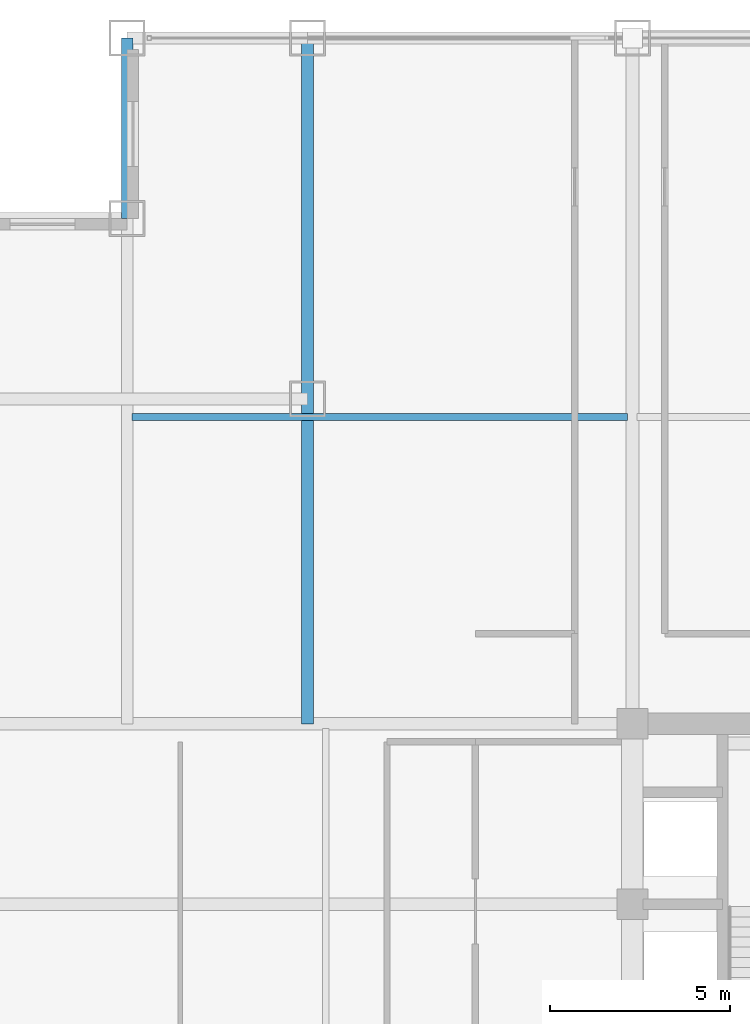
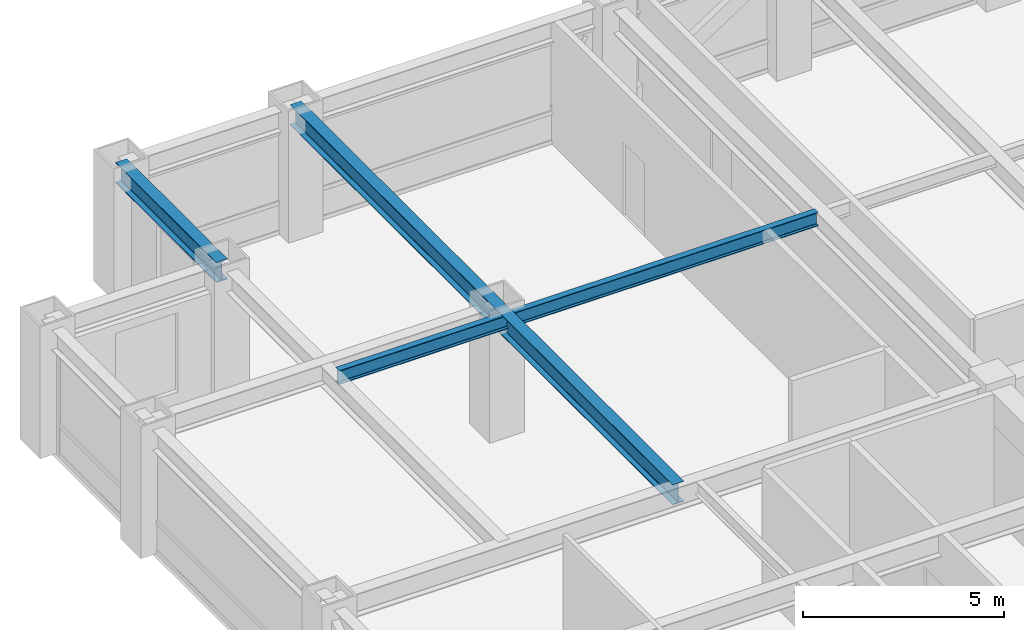
# One storey, part 13 of 24: 3 beams.
"""IFC4 building model written with IfcOpenShell, lengths in metres."""

from ifc_helpers import new_model, si_unit, direction, frame, origin, origin_2d, place, context, subcontext, project, spatial, i_section, extrude, source, transform, mapped, material, material_profile, profile_set, type_object, element, save


model = new_model("IFC4")

# Units and contexts
model_context = context("Model", 3, precision=1e-05, world=origin(), true_north=direction((0.0, 1.0)))
body_context = subcontext(model_context, "Body", "Model", "MODEL_VIEW")
ifc_project = project(units=[si_unit("LENGTHUNIT", "METRE"), si_unit("AREAUNIT", "SQUARE_METRE"), si_unit("VOLUMEUNIT", "CUBIC_METRE"), si_unit("PLANEANGLEUNIT", "RADIAN"), si_unit("MASSUNIT", "GRAM", prefix="KILO")], contexts=[model_context])

# Site, building, storey
site_placement = place(None, origin())
site = spatial("IfcSite", under=ifc_project, at=site_placement, CompositionType="ELEMENT")
building_placement = place(site_placement, origin())
building = spatial("IfcBuilding", under=site, at=building_placement, Name="Khorayat Bourse Tower", CompositionType="ELEMENT")
storey_placement = place(building_placement, frame((0.0, 0.0, 219.10009765625)))
storey = spatial("IfcBuildingStorey", under=building, at=storey_placement, Name="L51", CompositionType="ELEMENT", Elevation=219.10009765625)

# Beams
ifc_material = material(Name="Steel ASTM A992 Grade 50", Category="steel")
ifc_material_profile_1 = material_profile(ifc_material, i_section(OverallWidth=0.324951171875, OverallDepth=0.615966796875, WebThickness=0.013916015625, FlangeThickness=0.021484375, FilletRadius=0.01611328125, at=origin_2d()), Name="W610X174")
ifc_profile_set_1 = profile_set([ifc_material_profile_1], Name="Steel ASTM A992 Grade 50")
beam_type_1 = type_object("IfcBeamType", Name="BM-GIRD-610", PredefinedType="BEAM", material=ifc_profile_set_1)
shared_shape_1 = source(origin(), body_context, "Body", "SweptSolid", [
    extrude(i_section(OverallWidth=0.324951171875, OverallDepth=0.615966796875, WebThickness=0.013916015625, FlangeThickness=0.021484375, FilletRadius=0.01611328125, at=origin_2d()), origin(), (0.0, 0.0, 1.0), 19.0),
])
beam_1_placement = place(storey_placement, frame((-20.0, 11.0, 3.471923828125), z_axis=(0.0, 1.0, 0.0), x_axis=(-1.0, 0.0, 0.0)))
element("IfcBeam", 1, at=beam_1_placement, inside=storey, type_object=beam_type_1, Name="L51 BM-GIRD-610 BM-L51-CNRY-085", PredefinedType="BEAM", context=body_context, shape_type="MappedRepresentation", body=[
    mapped(shared_shape_1, transform((0.0, 0.0, 0.0), scale=1.0)),
])
ifc_material_profile_2 = material_profile(ifc_material, i_section(OverallWidth=0.324951171875, OverallDepth=0.615966796875, WebThickness=0.013916015625, FlangeThickness=0.021484375, FilletRadius=0.01611328125, at=origin_2d()), Name="W610X174")
ifc_profile_set_2 = profile_set([ifc_material_profile_2], Name="Steel ASTM A992 Grade 50")
beam_type_2 = type_object("IfcBeamType", Name="BM-SPAN-610", PredefinedType="SPANDREL", material=ifc_profile_set_2)
shared_shape_2 = source(origin(), body_context, "Body", "SweptSolid", [
    extrude(i_section(OverallWidth=0.324951171875, OverallDepth=0.615966796875, WebThickness=0.013916015625, FlangeThickness=0.021484375, FilletRadius=0.01611328125, at=origin_2d()), origin(), (0.0, 0.0, 1.0), 5.0),
])
beam_2_placement = place(storey_placement, frame((-25.0, 25.0, 3.471923828125), z_axis=(0.0, 1.0, 0.0), x_axis=(-1.0, 0.0, 0.0)))
element("IfcBeam", 2, at=beam_2_placement, inside=storey, type_object=beam_type_2, Name="L51 BM-SPAN-610 BM-L51-SPN-052", PredefinedType="SPANDREL", context=body_context, shape_type="MappedRepresentation", body=[
    mapped(shared_shape_2, transform((0.0, 0.0, 0.0), scale=1.0)),
])
ifc_material_profile_3 = material_profile(ifc_material, i_section(OverallWidth=0.180908203125, OverallDepth=0.4169921875, WebThickness=0.010986328125, FlangeThickness=0.018310546875, FilletRadius=0.011962890625, at=origin_2d()), Name="W410X85")
ifc_profile_set_3 = profile_set([ifc_material_profile_3], Name="Steel ASTM A992 Grade 50")
beam_type_3 = type_object("IfcBeamType", Name="BM-JOIST-410", PredefinedType="JOIST", material=ifc_profile_set_3)
shared_shape_3 = source(origin(), body_context, "Body", "SweptSolid", [
    extrude(i_section(OverallWidth=0.180908203125, OverallDepth=0.4169921875, WebThickness=0.010986328125, FlangeThickness=0.018310546875, FilletRadius=0.011962890625, at=origin_2d()), origin(), (0.0, 0.0, 1.0), 13.740234375),
])
beam_3_placement = place(storey_placement, frame((-24.8701171875, 19.5, 3.5712890625), z_axis=(1.0, 0.0, 0.0), x_axis=(0.0, 1.0, 0.0)))
element("IfcBeam", 3, at=beam_3_placement, inside=storey, type_object=beam_type_3, Name="L51 BM-JOIST-410 BM-L51-JSTX-099", PredefinedType="JOIST", context=body_context, shape_type="MappedRepresentation", body=[
    mapped(shared_shape_3, transform((0.0, 0.0, 0.0), scale=1.0)),
])

save(model, "model.ifc")
